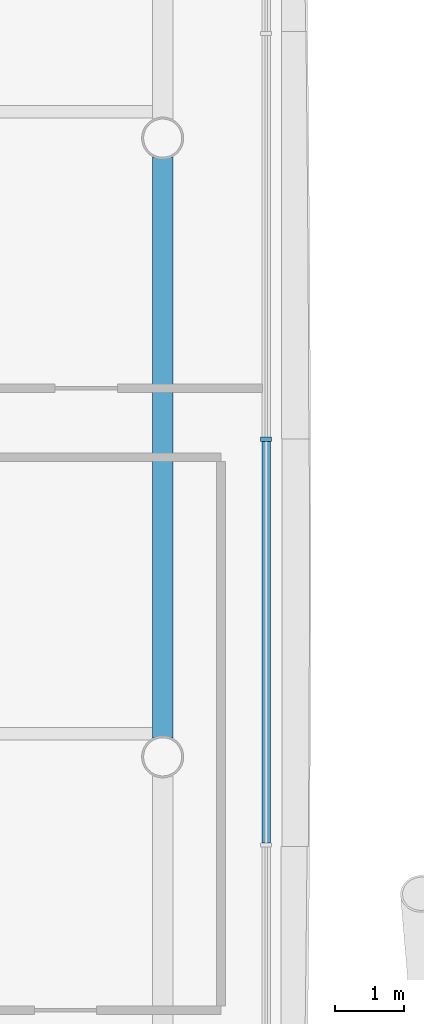
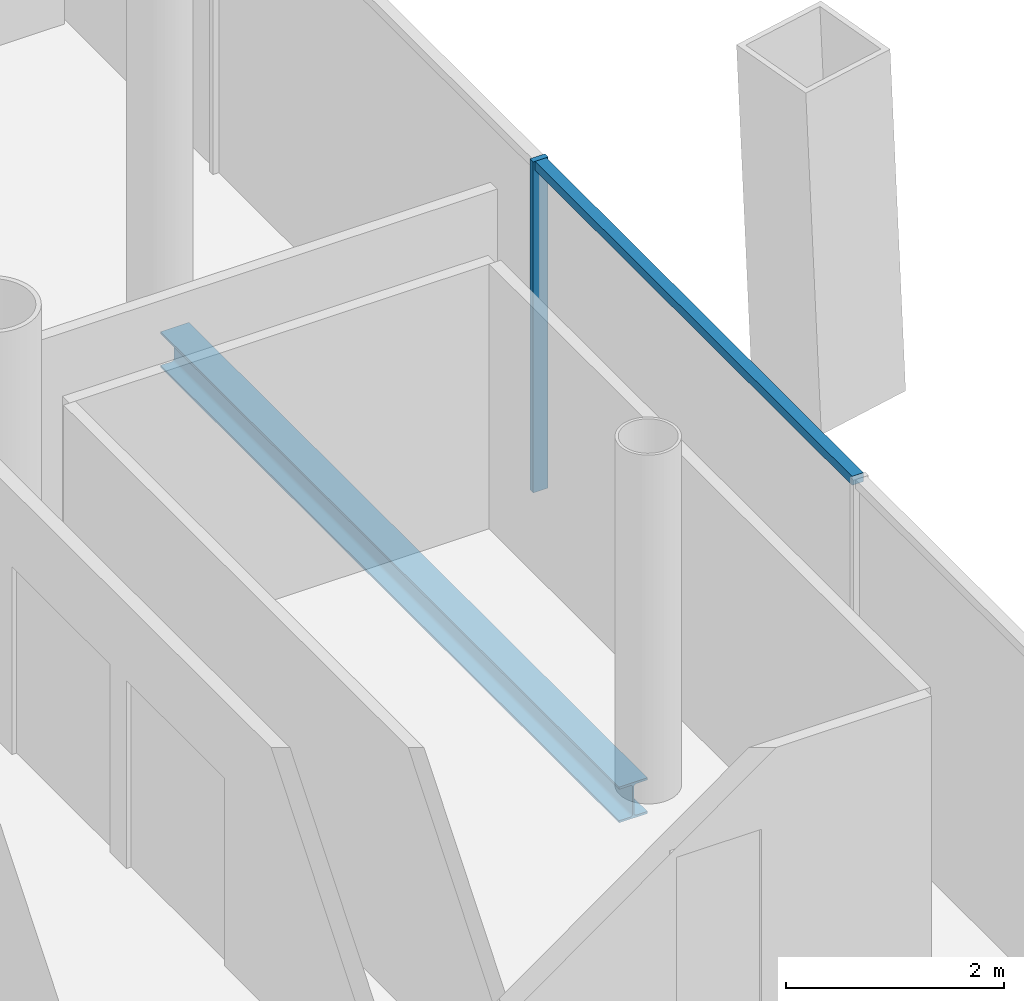
# One storey, part 9 of 25: 2 members, 1 beam, 1 element without a shape of its own.
"""IFC4 building model written with IfcOpenShell, lengths in metres."""

from ifc_helpers import new_model, si_unit, direction, frame, origin, origin_2d, place, context, subcontext, project, spatial, rectangle, i_section, extrude, material, material_profile, profile_set, type_object, element, aggregate, save


model = new_model("IFC4")

# Units and contexts
model_context = context("Model", 3, precision=1e-05, world=origin(), true_north=direction((0.0, 1.0)))
body_context = subcontext(model_context, "Body", "Model", "MODEL_VIEW")
ifc_project = project(units=[si_unit("LENGTHUNIT", "METRE"), si_unit("AREAUNIT", "SQUARE_METRE"), si_unit("VOLUMEUNIT", "CUBIC_METRE"), si_unit("PLANEANGLEUNIT", "RADIAN"), si_unit("MASSUNIT", "GRAM", prefix="KILO")], contexts=[model_context])

# Site, building, storey
site_placement = place(None, origin())
site = spatial("IfcSite", under=ifc_project, at=site_placement, CompositionType="ELEMENT")
building_placement = place(site_placement, origin())
building = spatial("IfcBuilding", under=site, at=building_placement, Name="Tskaro Facet Tower", CompositionType="ELEMENT")
storey_placement = place(building_placement, frame((0.0, 0.0, 34.199951171875)))
storey = spatial("IfcBuildingStorey", under=building, at=storey_placement, Name="L07", CompositionType="ELEMENT", Elevation=34.199951171875)

# Curtain wall, members
ifc_material_1 = material(Name="Bronze anodised aluminium 6063-T6", Category="aluminium")
curtain_wall_type = type_object("IfcCurtainWallType", Name="Bronze office curtain wall (FW1)", PredefinedType="NOTDEFINED", material=ifc_material_1)
curtain_wall_placement = place(storey_placement, origin())
curtain_wall = element("IfcCurtainWall", 1, at=curtain_wall_placement, inside=storey, type_object=curtain_wall_type, Name="FW1 east facet L07", PredefinedType="NOTDEFINED")
ifc_material_profile_1 = material_profile(ifc_material_1, rectangle(XDim=0.06005859375, YDim=0.159912109375, at=origin_2d()), Name="Mullion 60x160")
ifc_profile_set_1 = profile_set([ifc_material_profile_1], Name="Bronze anodised aluminium 6063-T6")
member_type_1 = type_object("IfcMemberType", Name="FW1 bronze mullion 60x160", PredefinedType="MULLION", material=ifc_profile_set_1)
member_1_placement = place(storey_placement, frame((23.654052734375, -0.239013671875, 0.0), z_axis=(0.0, 0.0, 1.0), x_axis=(0.0, 1.0, 0.0)))
member_1 = element("IfcMember", 2, at=member_1_placement, type_object=member_type_1, Name="FW1 east mullion 4", PredefinedType="MULLION", context=body_context, shape_type="SweptSolid", body=[
    extrude(rectangle(XDim=0.06005859375, YDim=0.159912109375, at=origin_2d()), origin(), (0.0, 0.0, 1.0), 3.699951171875),
])
ifc_material_profile_2 = material_profile(ifc_material_1, rectangle(XDim=0.1201171875, YDim=0.10009765625, at=origin_2d()), Name="Transom 120x100")
ifc_profile_set_2 = profile_set([ifc_material_profile_2], Name="Bronze anodised aluminium 6063-T6")
member_type_2 = type_object("IfcMemberType", Name="FW1 bronze transom 120x100", PredefinedType="USERDEFINED", material=ifc_profile_set_2)
member_2_placement = place(storey_placement, frame((23.654052734375, -6.077392578125, 3.650146484375), z_axis=(0.0, 1.0, 0.0), x_axis=(-1.0, 0.0, 0.0)))
member_2 = element("IfcMember", 3, at=member_2_placement, type_object=member_type_2, Name="FW1 east transom 4.1", ObjectType="TRANSOM", PredefinedType="USERDEFINED", context=body_context, shape_type="SweptSolid", body=[
    extrude(rectangle(XDim=0.1201171875, YDim=0.10009765625, at=origin_2d()), origin(), (0.0, 0.0, 1.0), 5.808349609375),
])
aggregate(curtain_wall, [member_1, member_2])

# Beam
ifc_material_2 = material(Name="Steel S355J2", Category="steel")
ifc_material_profile_3 = material_profile(ifc_material_2, i_section(OverallWidth=0.300048828125, OverallDepth=0.39990234375, WebThickness=0.013427734375, FlangeThickness=0.02392578125, FilletRadius=0.027099609375, at=origin_2d()), Name="HE 400 B")
ifc_profile_set_3 = profile_set([ifc_material_profile_3], Name="Steel S355J2")
beam_type = type_object("IfcBeamType", Name="HE 400 B ring beam", PredefinedType="BEAM", material=ifc_profile_set_3)
beam_placement = place(storey_placement, frame((22.156982421875, -4.55810546875, -0.33984375), z_axis=(0.0, 1.0, 0.0), x_axis=(-1.0, 0.0, 0.0)))
element("IfcBeam", 4, at=beam_placement, inside=storey, type_object=beam_type, Name="HE 400 B EB10-1", PredefinedType="BEAM", context=body_context, shape_type="SweptSolid", body=[
    extrude(i_section(OverallWidth=0.300048828125, OverallDepth=0.39990234375, WebThickness=0.013427734375, FlangeThickness=0.02392578125, FilletRadius=0.027099609375, at=origin_2d()), origin(), (0.0, 0.0, 1.0), 8.399169921875),
])

save(model, "model.ifc")
